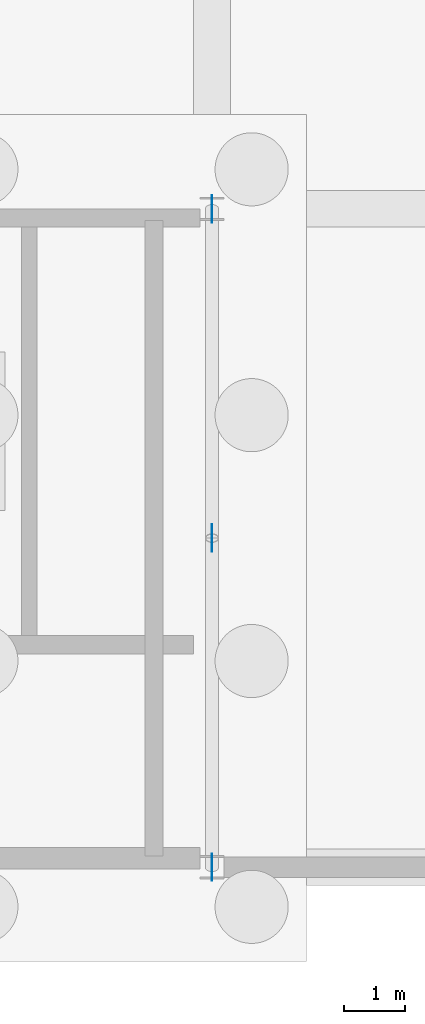
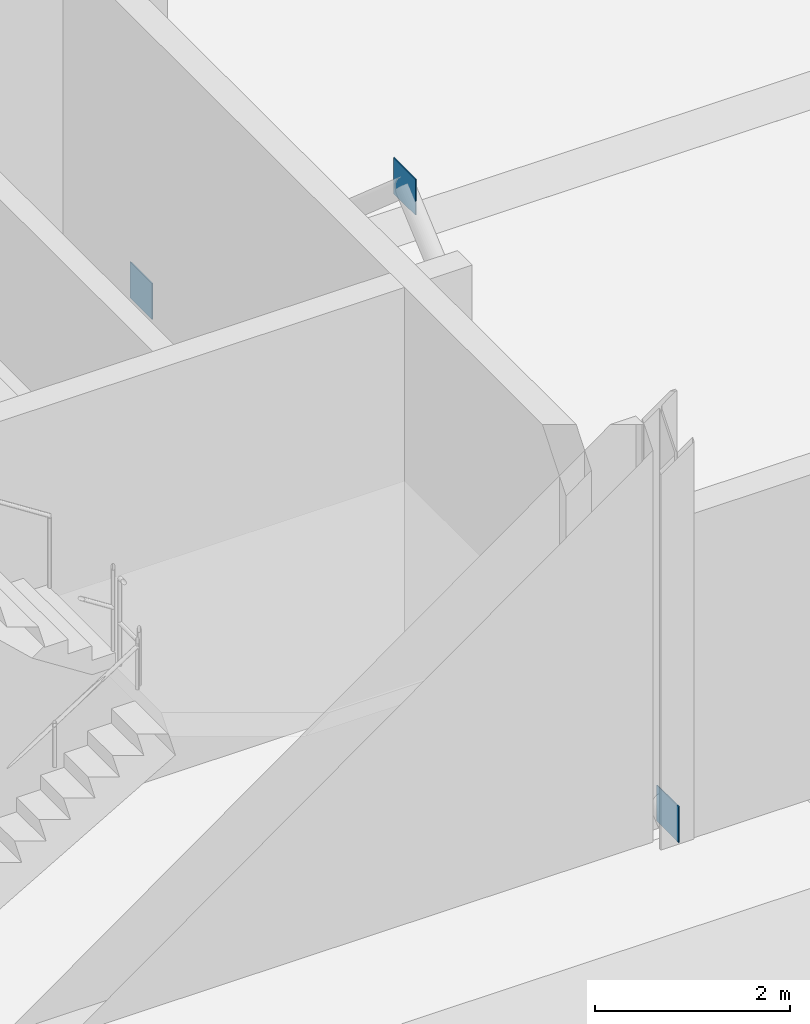
# One storey, part 22 of 36: 3 plates.
"""IFC4 building model written with IfcOpenShell, lengths in metres."""

from ifc_helpers import new_model, si_unit, direction, frame, origin, origin_2d, place, context, subcontext, project, spatial, rectangle, extrude, material, layer, layer_set, type_object, element, save


model = new_model("IFC4")

# Units and contexts
model_context = context("Model", 3, precision=1e-05, world=origin(), true_north=direction((0.0, 1.0)))
body_context = subcontext(model_context, "Body", "Model", "MODEL_VIEW")
ifc_project = project(units=[si_unit("LENGTHUNIT", "METRE"), si_unit("AREAUNIT", "SQUARE_METRE"), si_unit("VOLUMEUNIT", "CUBIC_METRE"), si_unit("PLANEANGLEUNIT", "RADIAN"), si_unit("MASSUNIT", "GRAM", prefix="KILO"), si_unit("THERMODYNAMICTEMPERATUREUNIT", "KELVIN"), si_unit("POWERUNIT", "WATT")], contexts=[model_context])

# Site, building, storey
site_placement = place(None, origin())
site = spatial("IfcSite", under=ifc_project, at=site_placement, CompositionType="ELEMENT")
building_placement = place(site_placement, origin())
building = spatial("IfcBuilding", under=site, at=building_placement, Name="Tembeka Court Mobility Hub", CompositionType="ELEMENT")
storey_placement = place(building_placement, frame((0.0, 0.0, -5.39990234375)))
storey = spatial("IfcBuildingStorey", under=building, at=storey_placement, Name="B1", CompositionType="ELEMENT", Elevation=-5.39990234375)

# Plates
ifc_material = material(Name="Steel S355", Category="steel")
ifc_layer = layer(ifc_material, 0.011962890625)
ifc_layer_set = layer_set([ifc_layer], Name="Steel S355")
plate_type = type_object("IfcPlateType", Name="PL-NDP02", PredefinedType="USERDEFINED", material=ifc_layer_set)
for number, where, z_axis, x_axis, name in (
    (1, (164.39990234375, 0.0, 0.044921875), (0.0, 0.0, 1.0), (1.0, 0.0, 0.0), "Chevron brace gusset plate NDP02 (B1-13-1)"),
    (2, (164.39990234375, 10.800048828125, 0.044921875), (0.0, 0.0, 1.0), (1.0, 0.0, 0.0), "Chevron brace gusset plate NDP02 (B1-13-2)"),
    (3, (164.39990234375, 5.39990234375, 4.625), (0.0, 0.0, 1.0), (1.0, 0.0, 0.0), "Chevron brace gusset plate NDP02 (B1-13-3)"),
):
    element("IfcPlate", number, at=place(storey_placement, frame(where, z_axis=z_axis, x_axis=x_axis)), inside=storey, type_object=plate_type, Name=name, ObjectType="GUSSET PLATE", PredefinedType="USERDEFINED", context=body_context, shape_type="SweptSolid", body=[
        extrude(rectangle(XDim=0.011962890625, YDim=0.449951171875, at=origin_2d()), origin(), (0.0, 0.0, 1.0), 0.449951171875),
    ])

save(model, "model.ifc")
